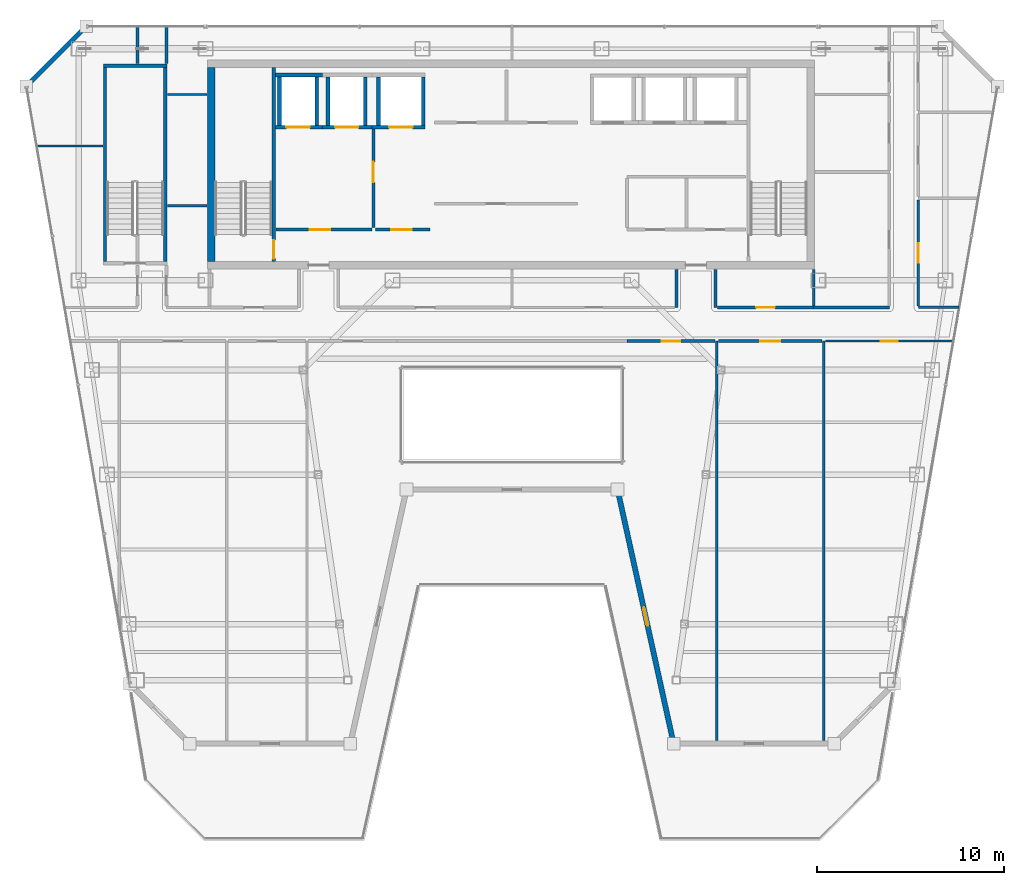
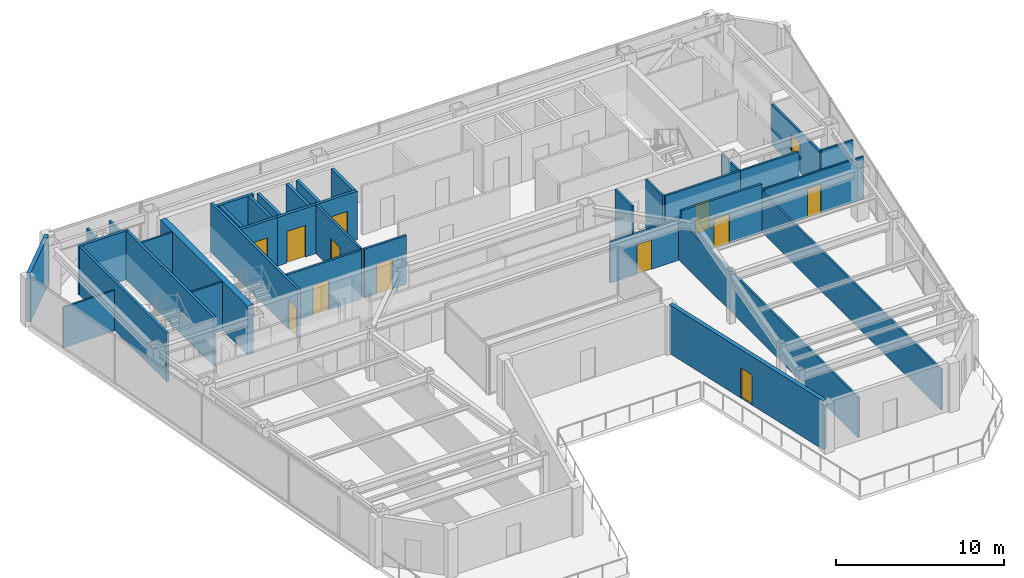
# One storey, part 25 of 31: 37 walls, 13 doors, 13 openings.
"""IFC4 building model written with IfcOpenShell, lengths in metres."""

import ifcopenshell
import ifcopenshell.guid

model = None  # the IFC model being written
_history = None  # IfcOwnerHistory: only IFC2X3 demands one
_inside = {}  # id of a spatial element -> (the spatial element, [elements in it])
_under = {}  # id of a project, library or spatial element -> (it, [spatial elements below it])
_declared = {}  # id of a project -> (the project, [libraries it declares])
_typed = {}  # id of a type object -> (the type object, [elements of that type])
_made_of = {}  # id of a material, layer set ... -> (it, [elements and type objects made of it])


def new_model(schema):
    """Start an empty IFC model of exactly this schema.

    Asked for "IFC4X3", IfcOpenShell would pick the latest addendum, in which some entities
    have other attributes; the version numbers below select the first issue.
    IFC2X3 requires an IfcOwnerHistory on every rooted entity: one is made here for all.
    """
    global model, _history
    if schema == "IFC4X3":
        model = ifcopenshell.file(schema_version=(4, 3, 0, 0))
    else:
        model = ifcopenshell.file(schema=schema)
    _inside.clear()
    _under.clear()
    _declared.clear()
    _typed.clear()
    _made_of.clear()
    _history = None
    if model.schema == "IFC2X3":
        org = make("IfcOrganization", Name="unknown")
        user = make(
            "IfcPersonAndOrganization",
            ThePerson=make("IfcPerson", FamilyName="unknown"),
            TheOrganization=org,
        )
        app = make(
            "IfcApplication",
            ApplicationDeveloper=org,
            Version="unknown",
            ApplicationFullName="unknown",
            ApplicationIdentifier="unknown",
        )
        _history = make(
            "IfcOwnerHistory",
            OwningUser=user,
            OwningApplication=app,
            ChangeAction="ADDED",
            CreationDate=0,
        )
    return model


def make(cls, **values):
    """One entity of the class cls with the attributes given. An attribute that is None is left unset."""
    return model.create_entity(
        cls, **{name: value for name, value in values.items() if value is not None}
    )


def rooted(cls, **values):
    """An entity with a GlobalId (a new one), such as an element, a storey or a relation."""
    return make(cls, GlobalId=ifcopenshell.guid.new(), OwnerHistory=_history, **values)


def si_unit(unit_type, name, prefix=None):
    """IfcSIUnit, for example si_unit("LENGTHUNIT", "METRE", prefix="MILLI")."""
    return make("IfcSIUnit", UnitType=unit_type, Prefix=prefix, Name=name)


def assignment(units):
    """IfcUnitAssignment: the units of a project."""
    return None if units is None else make("IfcUnitAssignment", Units=units)


def point(xyz):
    """IfcCartesianPoint."""
    return None if xyz is None else make("IfcCartesianPoint", Coordinates=xyz)


def direction(xyz):
    """IfcDirection."""
    return None if xyz is None else make("IfcDirection", DirectionRatios=xyz)


def frame(location, z_axis=None, x_axis=None):
    """IfcAxis2Placement3D, a coordinate frame: its origin and axes. An axis left out is left unset."""
    return make(
        "IfcAxis2Placement3D",
        Location=point(location),
        Axis=direction(z_axis),
        RefDirection=direction(x_axis),
    )


def frame_2d(location, x_axis=None):
    """IfcAxis2Placement2D, a coordinate frame in the plane: its origin and x axis."""
    return make(
        "IfcAxis2Placement2D", Location=point(location), RefDirection=direction(x_axis)
    )


def origin():
    """The frame at (0, 0, 0) with its axes left unset."""
    return frame((0.0, 0.0, 0.0))


def place(relative_to, where):
    """IfcLocalPlacement: puts the frame where relative to a parent placement (None: the world)."""
    return make(
        "IfcLocalPlacement", PlacementRelTo=relative_to, RelativePlacement=where
    )


def context(
    kind, dimensions, precision=None, world=None, true_north=None, identifier=None
):
    """IfcGeometricRepresentationContext, for example the 3D "Model" context."""
    return make(
        "IfcGeometricRepresentationContext",
        ContextIdentifier=identifier,
        ContextType=kind,
        CoordinateSpaceDimension=dimensions,
        Precision=precision,
        WorldCoordinateSystem=world,
        TrueNorth=true_north,
    )


def subcontext(parent, identifier, kind, view, scale=None):
    """IfcGeometricRepresentationSubContext, for example "Body" below "Model"."""
    return make(
        "IfcGeometricRepresentationSubContext",
        ContextIdentifier=identifier,
        ContextType=kind,
        ParentContext=parent,
        TargetScale=scale,
        TargetView=view,
    )


def project(units=None, contexts=None):
    """IfcProject with its units and contexts."""
    return rooted(
        "IfcProject",
        Name="project",
        RepresentationContexts=contexts,
        UnitsInContext=assignment(units),
    )


def spatial(cls, under=None, at=None, **own):
    """A site, building, storey or space (cls), placed at a placement, below another one or the project."""
    s = rooted(cls, ObjectPlacement=at, **own)
    if under is not None:
        _under.setdefault(under.id(), (under, []))[1].append(s)
    return s


def profile(cls, at=None, kind="AREA", **sizes):
    """A parametric profile (cls). Its sizes go by their IFC names, for example OverallWidth=200.0."""
    return make(cls, ProfileType=kind, Position=at, **sizes)


def rectangle(**sizes):
    """IfcRectangleProfileDef."""
    return profile("IfcRectangleProfileDef", **sizes)


def extrude(swept, where, along, depth):
    """IfcExtrudedAreaSolid: the profile swept, set in the frame where, extruded along a direction by depth."""
    return make(
        "IfcExtrudedAreaSolid",
        SweptArea=swept,
        Position=where,
        ExtrudedDirection=direction(along),
        Depth=depth,
    )


def shape(context_of_items, identifier, shape_type, items):
    """IfcShapeRepresentation: the items that make up one representation, for example the "Body"."""
    return make(
        "IfcShapeRepresentation",
        ContextOfItems=context_of_items,
        RepresentationIdentifier=identifier,
        RepresentationType=shape_type,
        Items=items,
    )


def material(Name=None, Category=None):
    """IfcMaterial."""
    return make("IfcMaterial", Name=Name, Category=Category)


def layer(
    of_material, thickness, ventilated=None, Name=None, Category=None, Priority=None
):
    """IfcMaterialLayer: one layer of a wall or slab, of a material (None: an air gap)."""
    return make(
        "IfcMaterialLayer",
        Material=of_material,
        LayerThickness=thickness,
        IsVentilated=ventilated,
        Name=Name,
        Category=Category,
        Priority=Priority,
    )


def layer_set(layers, Name=None):
    """IfcMaterialLayerSet."""
    return make("IfcMaterialLayerSet", MaterialLayers=layers, LayerSetName=Name)


def made_of(thing, what):
    """Note that an element or type object is made of a material, layer set ...; save() writes the relation."""
    if what is not None:
        _made_of.setdefault(what.id(), (what, []))[1].append(thing)
    return thing


def type_object(cls, material=None, **own):
    """A type object (cls), such as IfcWallType, which elements share."""
    return made_of(rooted(cls, **own), material)


def element(
    cls,
    number,
    at=None,
    inside=None,
    cuts=None,
    type_object=None,
    material=None,
    context=None,
    identifier="Body",
    shape_type=None,
    held_by="IfcProductDefinitionShape",
    body=None,
    shapes=None,
    **own,
):
    """One element of the class cls, such as IfcWall. Its Tag is "e" and its number.

    at: its placement. inside: the storey or other place that contains it. cuts: it is an
    opening in that element (IfcRelVoidsElement). A single representation is given by context,
    identifier, shape_type and body (its items); several are given by shapes. held_by: the class
    of the entity that holds the representations. save() writes the other relations.
    """
    e = rooted(cls, Tag="e%d" % number, ObjectPlacement=at, **own)
    if body is not None:
        shapes = [shape(context, identifier, shape_type, body)]
    if shapes is not None:
        e.Representation = make(held_by, Representations=shapes)
    if inside is not None:
        _inside.setdefault(inside.id(), (inside, []))[1].append(e)
    if cuts is not None:
        rooted(
            "IfcRelVoidsElement", RelatingBuildingElement=cuts, RelatedOpeningElement=e
        )
    if type_object is not None:
        _typed.setdefault(type_object.id(), (type_object, []))[1].append(e)
    return made_of(e, material)


def fill(opening, filler):
    """IfcRelFillsElement: the door or window that sits in an opening."""
    return rooted(
        "IfcRelFillsElement",
        RelatingOpeningElement=opening,
        RelatedBuildingElement=filler,
    )


def aggregate(whole, parts):
    """IfcRelAggregates: a whole, such as a stair, and the parts it consists of."""
    return rooted("IfcRelAggregates", RelatingObject=whole, RelatedObjects=parts)


def save(model, path):
    """Write the relations noted so far, then the file.

    IfcRelAggregates (storeys below a building ...), IfcRelContainedInSpatialStructure (elements
    in a storey), IfcRelDefinesByType, IfcRelAssociatesMaterial and IfcRelDeclares: one each for
    every whole, place, type object, material and project.
    """
    for whole, parts in _under.values():
        aggregate(whole, parts)
    for where, things in _inside.values():
        rooted(
            "IfcRelContainedInSpatialStructure",
            RelatedElements=things,
            RelatingStructure=where,
        )
    for kind, things in _typed.values():
        rooted("IfcRelDefinesByType", RelatedObjects=things, RelatingType=kind)
    for what, things in _made_of.values():
        rooted("IfcRelAssociatesMaterial", RelatedObjects=things, RelatingMaterial=what)
    for by, libraries in _declared.values():
        rooted("IfcRelDeclares", RelatingContext=by, RelatedDefinitions=libraries)
    model.write(path)


model = new_model("IFC4")

# Units and contexts
model_context = context("Model", 3, precision=1e-05, world=origin(), true_north=direction((0.0, 1.0)))
body_context = subcontext(model_context, "Body", "Model", "MODEL_VIEW")
ifc_project = project(units=[si_unit("LENGTHUNIT", "METRE"), si_unit("AREAUNIT", "SQUARE_METRE"), si_unit("VOLUMEUNIT", "CUBIC_METRE"), si_unit("PLANEANGLEUNIT", "RADIAN"), si_unit("MASSUNIT", "GRAM", prefix="KILO")], contexts=[model_context])

# Site, building, storey
site_placement = place(None, origin())
site = spatial("IfcSite", under=ifc_project, at=site_placement, CompositionType="ELEMENT")
building_placement = place(site_placement, origin())
building = spatial("IfcBuilding", under=site, at=building_placement, Name="Saevonmaru Cultural Tower", CompositionType="ELEMENT")
storey_placement = place(building_placement, frame((0.0, 0.0, 230.60009765625)))
storey = spatial("IfcBuildingStorey", under=building, at=storey_placement, Name="L53", CompositionType="ELEMENT", Elevation=230.60009765625)

# Wall
ifc_material_1 = material(Name="Concrete C50/60", Category="concrete")
ifc_layer_1 = layer(ifc_material_1, 0.39990234375, Name="Concrete C50/60")
ifc_layer_set_1 = layer_set([ifc_layer_1], Name="Concrete C50/60")
wall_type_1 = type_object("IfcWallType", Name="WL-CORE-400", PredefinedType="SHEAR", material=ifc_layer_set_1)
wall_1_placement = place(storey_placement, frame((13.89990234375, 43.39990234375, 0.0), z_axis=(0.0, 0.0, 1.0), x_axis=(0.0, 1.0, 0.0)))
element("IfcWall", 1, at=wall_1_placement, inside=storey, type_object=wall_type_1, Name="L53 Tower RC core shear wall W", PredefinedType="SHEAR", context=body_context, shape_type="SweptSolid", body=[
    extrude(rectangle(XDim=10.400146484375, YDim=0.39990234375, at=frame_2d((5.2001953125, 0.0))), origin(), (0.0, 0.0, 1.0), 3.5498046875),
])

# Wall, opening, door
ifc_material_2 = material(Name="Gypsum Fireboard Partition", Category="gypsum")
ifc_layer_2 = layer(ifc_material_2, 0.14990234375, Name="Gypsum Fireboard Partition")
ifc_layer_set_2 = layer_set([ifc_layer_2], Name="Gypsum Fireboard Partition")
wall_type_2 = type_object("IfcWallType", Name="WL-CORE-PART-150", PredefinedType="PARTITIONING", material=ifc_layer_set_2)
wall_2_placement = place(storey_placement, frame((17.360107421875, 45.1201171875, 0.0), z_axis=(0.0, 0.0, 1.0), x_axis=(1.0, 0.0, 0.0)))
wall_2 = element("IfcWall", 2, at=wall_2_placement, inside=storey, type_object=wall_type_2, Name="L53 Firefighting Lift Lobby South Wall", PredefinedType="PARTITIONING", context=body_context, shape_type="SweptSolid", body=[
    extrude(rectangle(XDim=5.139892578125, YDim=0.14990234375, at=frame_2d((2.56982421875, 0.0))), origin(), (0.0, 0.0, 1.0), 3.5498046875),
])
opening_1_placement = place(wall_2_placement, frame((1.800048828125, 0.0, 0.0)))
opening_1 = element("IfcOpeningElement", 3, at=opening_1_placement, cuts=wall_2, Name="Opening FD-2", PredefinedType="OPENING", context=body_context, shape_type="SweptSolid", body=[
    extrude(rectangle(XDim=1.10009765625, YDim=2.14990234375, at=frame_2d((0.550048828125, 1.074951171875))), frame((0.0, 0.0849609375, 0.0), z_axis=(0.0, -1.0, 0.0), x_axis=(1.0, 0.0, 0.0)), (0.0, 0.0, 1.0), 0.169921875),
])
ifc_material_3 = material(Name="Satin Bronze Anodised Aluminium", Category="aluminium")
door_type_1 = type_object("IfcDoorType", Name="DR-FD60-1100", OperationType="SINGLE_SWING_LEFT", PredefinedType="DOOR", material=ifc_material_3)
door_1_placement = place(opening_1_placement, origin())
door_1 = element("IfcDoor", 4, at=door_1_placement, inside=storey, type_object=door_type_1, Name="L53 Firefighting Lift Lobby South Door", OperationType="SINGLE_SWING_LEFT", OverallHeight=2.14990234375, OverallWidth=1.10009765625, PredefinedType="DOOR", context=body_context, shape_type="SweptSolid", body=[
    extrude(rectangle(XDim=1.10009765625, YDim=2.14990234375, at=frame_2d((0.550048828125, 1.074951171875))), frame((0.0, 0.02490234375, 0.0), z_axis=(0.0, -1.0, 0.0), x_axis=(1.0, 0.0, 0.0)), (0.0, 0.0, 1.0), 0.050048828125),
])
fill(opening_1, door_1)

wall_3_placement = place(storey_placement, frame((22.580078125, 50.550048828125, 0.0), z_axis=(0.0, 0.0, 1.0), x_axis=(0.0, -1.0, 0.0)))
wall_3 = element("IfcWall", 5, at=wall_3_placement, inside=storey, type_object=wall_type_2, Name="L53 Firefighting Lift Lobby East Wall", PredefinedType="PARTITIONING", context=body_context, shape_type="SweptSolid", body=[
    extrude(rectangle(XDim=5.330078125, YDim=0.14990234375, at=frame_2d((2.6650390625, 0.0))), origin(), (0.0, 0.0, 1.0), 3.5498046875),
])
opening_2_placement = place(wall_3_placement, frame((1.800048828125, 0.0, 0.0)))
opening_2 = element("IfcOpeningElement", 6, at=opening_2_placement, cuts=wall_3, Name="Opening FD-2", PredefinedType="OPENING", context=body_context, shape_type="SweptSolid", body=[
    extrude(rectangle(XDim=1.10009765625, YDim=2.14990234375, at=frame_2d((0.550048828125, 1.074951171875))), frame((0.0, 0.0849609375, 0.0), z_axis=(0.0, -1.0, 0.0), x_axis=(1.0, 0.0, 0.0)), (0.0, 0.0, 1.0), 0.169921875),
])
door_2_placement = place(opening_2_placement, origin())
door_2 = element("IfcDoor", 7, at=door_2_placement, inside=storey, type_object=door_type_1, Name="L53 Firefighting Lift Lobby East Door", OperationType="SINGLE_SWING_LEFT", OverallHeight=2.14990234375, OverallWidth=1.10009765625, PredefinedType="DOOR", context=body_context, shape_type="SweptSolid", body=[
    extrude(rectangle(XDim=1.10009765625, YDim=2.14990234375, at=frame_2d((0.550048828125, 1.074951171875))), frame((0.0, 0.02490234375, 0.0), z_axis=(0.0, -1.0, 0.0), x_axis=(1.0, 0.0, 0.0)), (0.0, 0.0, 1.0), 0.050048828125),
])
fill(opening_2, door_2)

wall_4_placement = place(storey_placement, frame((22.679931640625, 45.1201171875, 0.0), z_axis=(0.0, 0.0, 1.0), x_axis=(1.0, 0.0, 0.0)))
wall_4 = element("IfcWall", 8, at=wall_4_placement, inside=storey, type_object=wall_type_2, Name="L53 Service Lift Vestibule Wall", PredefinedType="PARTITIONING", context=body_context, shape_type="SweptSolid", body=[
    extrude(rectangle(XDim=2.920166015625, YDim=0.14990234375, at=frame_2d((1.4599609375, 0.0))), origin(), (0.0, 0.0, 1.0), 3.5498046875),
])
opening_3_placement = place(wall_4_placement, frame((0.85009765625, 0.0, 0.0)))
opening_3 = element("IfcOpeningElement", 9, at=opening_3_placement, cuts=wall_4, Name="Opening FD-2", PredefinedType="OPENING", context=body_context, shape_type="SweptSolid", body=[
    extrude(rectangle(XDim=1.10009765625, YDim=2.14990234375, at=frame_2d((0.550048828125, 1.074951171875))), frame((0.0, 0.0849609375, 0.0), z_axis=(0.0, -1.0, 0.0), x_axis=(1.0, 0.0, 0.0)), (0.0, 0.0, 1.0), 0.169921875),
])
door_3_placement = place(opening_3_placement, origin())
door_3 = element("IfcDoor", 10, at=door_3_placement, inside=storey, type_object=door_type_1, Name="L53 Service Lift Vestibule Door", OperationType="SINGLE_SWING_LEFT", OverallHeight=2.14990234375, OverallWidth=1.10009765625, PredefinedType="DOOR", context=body_context, shape_type="SweptSolid", body=[
    extrude(rectangle(XDim=1.10009765625, YDim=2.14990234375, at=frame_2d((0.550048828125, 1.074951171875))), frame((0.0, 0.02490234375, 0.0), z_axis=(0.0, -1.0, 0.0), x_axis=(1.0, 0.0, 0.0)), (0.0, 0.0, 1.0), 0.050048828125),
])
fill(opening_3, door_3)

# Wall
ifc_material_4 = material(Name="Granite-Clad Precast Concrete C40/50", Category="masonry")
ifc_layer_3 = layer(ifc_material_4, 0.260009765625, Name="Granite-Clad Precast Concrete C40/50")
ifc_layer_set_3 = layer_set([ifc_layer_3], Name="Granite-Clad Precast Concrete C40/50")
wall_type_3 = type_object("IfcWallType", Name="WL-EXT-SPANDREL-260", PredefinedType="STANDARD", material=ifc_layer_set_3)
wall_5_placement = place(storey_placement, frame((7.0869140625, 55.886962890625, 0.0), z_axis=(0.0, 0.0, 1.0), x_axis=(-0.707106781187, -0.707106781187, 0.0)))
element("IfcWall", 11, at=wall_5_placement, inside=storey, type_object=wall_type_3, Name="L53 Chamfer Corner Spandrel Wall E11", PredefinedType="STANDARD", context=body_context, shape_type="SweptSolid", body=[
    extrude(rectangle(XDim=4.205810546875, YDim=0.260009765625, at=frame_2d((2.10302734375, 0.0))), origin(), (0.0, 0.0, 1.0), 3.5498046875),
])

# Wall, opening, door
ifc_layer_4 = layer(ifc_material_4, 0.280029296875, Name="Granite-Clad Precast Concrete C40/50")
ifc_layer_set_4 = layer_set([ifc_layer_4], Name="Granite-Clad Precast Concrete C40/50")
wall_type_4 = type_object("IfcWallType", Name="WL-EXT-SPANDREL-280", PredefinedType="STANDARD", material=ifc_layer_set_4)
wall_6_placement = place(storey_placement, frame((35.687744140625, 31.043701171875, 0.0), z_axis=(0.0, 0.0, 1.0), x_axis=(0.215414184939, -0.976522774403, 0.0)))
wall_6 = element("IfcWall", 12, at=wall_6_placement, inside=storey, type_object=wall_type_4, Name="L53 Setback Terrace Portal Wall E5", PredefinedType="STANDARD", context=body_context, shape_type="SweptSolid", body=[
    extrude(rectangle(XDim=13.60693359375, YDim=0.280029296875, at=frame_2d((6.803466796875, 0.0))), origin(), (0.0, 0.0, 1.0), 3.5498046875),
])
opening_4_placement = place(wall_6_placement, frame((6.303955078125, 0.0, 0.0)))
opening_4 = element("IfcOpeningElement", 13, at=opening_4_placement, cuts=wall_6, Name="Opening TD-2", PredefinedType="OPENING", context=body_context, shape_type="SweptSolid", body=[
    extrude(rectangle(XDim=1.0, YDim=2.199951171875, at=frame_2d((0.5, 1.10009765625))), frame((0.0, 0.14990234375, 0.0), z_axis=(0.0, -1.0, 0.0), x_axis=(1.0, 0.0, 0.0)), (0.0, 0.0, 1.0), 0.300048828125),
])
door_type_2 = type_object("IfcDoorType", Name="DR-TERR-1000", OperationType="SINGLE_SWING_RIGHT", PredefinedType="DOOR", material=ifc_material_3)
door_4_placement = place(opening_4_placement, origin())
door_4 = element("IfcDoor", 14, at=door_4_placement, inside=storey, type_object=door_type_2, Name="L53 Sawtooth Roof Terrace Door E5", OperationType="SINGLE_SWING_RIGHT", OverallHeight=2.199951171875, OverallWidth=1.0, PredefinedType="DOOR", context=body_context, shape_type="SweptSolid", body=[
    extrude(rectangle(XDim=1.0, YDim=2.199951171875, at=frame_2d((0.5, 1.10009765625))), frame((0.0, 0.02490234375, 0.0), z_axis=(0.0, -1.0, 0.0), x_axis=(1.0, 0.0, 0.0)), (0.0, 0.0, 1.0), 0.050048828125),
])
fill(opening_4, door_4)

# Walls
ifc_layer_5 = layer(ifc_material_2, 0.14990234375, Name="Gypsum Fireboard Partition")
ifc_layer_set_5 = layer_set([ifc_layer_5], Name="Gypsum Fireboard Partition")
wall_type_5 = type_object("IfcWallType", Name="WL-PART-FIRE-150", PredefinedType="PARTITIONING", material=ifc_layer_set_5)
for number, where, z_axis, x_axis, name in (
    (15, (11.5, 54.0, 0.0), (0.0, 0.0, 1.0), (0.0, 1.0, 0.0), "L53 Sound Art Screening Auditorium Corridor Wall"),
    (16, (9.949951171875, 54.0, 0.0), (0.0, 0.0, 1.0), (0.0, 1.0, 0.0), "L53 Media Screening Auditorium Corridor Wall"),
):
    element("IfcWall", number, at=place(storey_placement, frame(where, z_axis=z_axis, x_axis=x_axis)), inside=storey, type_object=wall_type_5, Name=name, PredefinedType="PARTITIONING", context=body_context, shape_type="SweptSolid", body=[
        extrude(rectangle(XDim=1.9951171875, YDim=0.14990234375, at=frame_2d((0.99755859375, 0.0))), origin(), (0.0, 0.0, 1.0), 2.934814453125),
    ])

# Wall, opening, door
wall_7_placement = place(storey_placement, frame((51.75, 41.03759765625, 0.0), z_axis=(0.0, 0.0, 1.0), x_axis=(0.0, 1.0, 0.0)))
wall_7 = element("IfcWall", 17, at=wall_7_placement, inside=storey, type_object=wall_type_5, Name="L53 Visual Arts Critique Gallery Corridor Wall", PredefinedType="PARTITIONING", context=body_context, shape_type="SweptSolid", body=[
    extrude(rectangle(XDim=5.6748046875, YDim=0.14990234375, at=frame_2d((2.83740234375, 0.0))), origin(), (0.0, 0.0, 1.0), 2.947021484375),
])
opening_5_placement = place(wall_7_placement, frame((2.31201171875, 0.0, 0.0)))
opening_5 = element("IfcOpeningElement", 18, at=opening_5_placement, cuts=wall_7, Name="Opening ID-1", PredefinedType="OPENING", context=body_context, shape_type="SweptSolid", body=[
    extrude(rectangle(XDim=1.050048828125, YDim=2.14990234375, at=frame_2d((0.52490234375, 1.074951171875))), frame((0.0, 0.0849609375, 0.0), z_axis=(0.0, -1.0, 0.0), x_axis=(1.0, 0.0, 0.0)), (0.0, 0.0, 1.0), 0.169921875),
])
door_type_3 = type_object("IfcDoorType", Name="DR-INT-1050", OperationType="SINGLE_SWING_LEFT", PredefinedType="DOOR", material=ifc_material_3)
door_5_placement = place(opening_5_placement, origin())
door_5 = element("IfcDoor", 19, at=door_5_placement, inside=storey, type_object=door_type_3, Name="L53 Visual Arts Critique Gallery Door", OperationType="SINGLE_SWING_LEFT", OverallHeight=2.14990234375, OverallWidth=1.050048828125, PredefinedType="DOOR", context=body_context, shape_type="SweptSolid", body=[
    extrude(rectangle(XDim=1.050048828125, YDim=2.14990234375, at=frame_2d((0.52490234375, 1.074951171875))), frame((0.0, 0.02490234375, 0.0), z_axis=(0.0, -1.0, 0.0), x_axis=(1.0, 0.0, 0.0)), (0.0, 0.0, 1.0), 0.050048828125),
])
fill(opening_5, door_5)

# Walls
for number, where, z_axis, x_axis, name in (
    (20, (38.800048828125, 40.949951171875, 0.0), (0.0, 0.0, 1.0), (0.0, 1.0, 0.0), "L53 Core Portal Side Wall E1"),
    (21, (40.89990234375, 40.949951171875, 0.0), (0.0, 0.0, 1.0), (0.0, 1.0, 0.0), "L53 Core Portal Side Wall E2"),
):
    element("IfcWall", number, at=place(storey_placement, frame(where, z_axis=z_axis, x_axis=x_axis)), inside=storey, type_object=wall_type_5, Name=name, PredefinedType="PARTITIONING", context=body_context, shape_type="SweptSolid", body=[
        extrude(rectangle(XDim=2.030029296875, YDim=0.14990234375, at=frame_2d((1.01513671875, 0.0))), origin(), (0.0, 0.0, 1.0), 3.5498046875),
    ])

# Wall, opening, door
wall_8_placement = place(storey_placement, frame((40.9951171875, 40.949951171875, 0.0), z_axis=(0.0, 0.0, 1.0), x_axis=(1.0, 0.0, 0.0)))
wall_8 = element("IfcWall", 22, at=wall_8_placement, inside=storey, type_object=wall_type_5, Name="L53 Sound Art Screening Auditorium Corridor Wall", PredefinedType="PARTITIONING", context=body_context, shape_type="SweptSolid", body=[
    extrude(rectangle(XDim=5.15478515625, YDim=0.14990234375, at=frame_2d((2.577392578125, 0.0))), origin(), (0.0, 0.0, 1.0), 3.5498046875),
])
opening_6_placement = place(wall_8_placement, frame((2.077880859375, 0.0, 0.0)))
opening_6 = element("IfcOpeningElement", 23, at=opening_6_placement, cuts=wall_8, Name="Opening ID-1B", PredefinedType="OPENING", context=body_context, shape_type="SweptSolid", body=[
    extrude(rectangle(XDim=1.0, YDim=2.14990234375, at=frame_2d((0.5, 1.074951171875))), frame((0.0, 0.0849609375, 0.0), z_axis=(0.0, -1.0, 0.0), x_axis=(1.0, 0.0, 0.0)), (0.0, 0.0, 1.0), 0.169921875),
])
ifc_material_5 = material(Name="Acoustic Stained Oak Timber", Category="wood")
door_type_4 = type_object("IfcDoorType", Name="DR-INT-1000", OperationType="SINGLE_SWING_RIGHT", PredefinedType="DOOR", material=ifc_material_5)
door_6_placement = place(opening_6_placement, origin())
door_6 = element("IfcDoor", 24, at=door_6_placement, inside=storey, type_object=door_type_4, Name="L53 Sound Art Screening Auditorium Door", OperationType="SINGLE_SWING_LEFT", OverallHeight=2.14990234375, OverallWidth=1.0, PredefinedType="DOOR", context=body_context, shape_type="SweptSolid", body=[
    extrude(rectangle(XDim=1.0, YDim=2.14990234375, at=frame_2d((0.5, 1.074951171875))), frame((0.0, 0.02490234375, 0.0), z_axis=(0.0, -1.0, 0.0), x_axis=(1.0, 0.0, 0.0)), (0.0, 0.0, 1.0), 0.050048828125),
])
fill(opening_6, door_6)

wall_9_placement = place(storey_placement, frame((36.14990234375, 39.14990234375, 0.0), z_axis=(0.0, 0.0, 1.0), x_axis=(1.0, 0.0, 0.0)))
wall_9 = element("IfcWall", 25, at=wall_9_placement, inside=storey, type_object=wall_type_5, Name="L53 Sound Art Screening Auditorium Corridor Wall", PredefinedType="PARTITIONING", context=body_context, shape_type="SweptSolid", body=[
    extrude(rectangle(XDim=4.72265625, YDim=0.14990234375, at=frame_2d((2.361328125, 0.0))), origin(), (0.0, 0.0, 1.0), 2.947021484375),
])
opening_7_placement = place(wall_9_placement, frame((1.861083984375, 0.0, 0.0)))
opening_7 = element("IfcOpeningElement", 26, at=opening_7_placement, cuts=wall_9, Name="Opening ID-1B", PredefinedType="OPENING", context=body_context, shape_type="SweptSolid", body=[
    extrude(rectangle(XDim=1.0, YDim=2.14990234375, at=frame_2d((0.5, 1.074951171875))), frame((0.0, 0.0849609375, 0.0), z_axis=(0.0, -1.0, 0.0), x_axis=(1.0, 0.0, 0.0)), (0.0, 0.0, 1.0), 0.169921875),
])
door_7_placement = place(opening_7_placement, origin())
door_7 = element("IfcDoor", 27, at=door_7_placement, inside=storey, type_object=door_type_4, Name="L53 Sound Art Screening Auditorium Door", OperationType="SINGLE_SWING_LEFT", OverallHeight=2.14990234375, OverallWidth=1.0, PredefinedType="DOOR", context=body_context, shape_type="SweptSolid", body=[
    extrude(rectangle(XDim=1.0, YDim=2.14990234375, at=frame_2d((0.5, 1.074951171875))), frame((0.0, 0.02490234375, 0.0), z_axis=(0.0, -1.0, 0.0), x_axis=(1.0, 0.0, 0.0)), (0.0, 0.0, 1.0), 0.050048828125),
])
fill(opening_7, door_7)

wall_10_placement = place(storey_placement, frame((41.047607421875, 39.14990234375, 0.0), z_axis=(0.0, 0.0, 1.0), x_axis=(1.0, 0.0, 0.0)))
wall_10 = element("IfcWall", 28, at=wall_10_placement, inside=storey, type_object=wall_type_5, Name="L53 Visual Arts Critique Gallery Corridor Wall", PredefinedType="PARTITIONING", context=body_context, shape_type="SweptSolid", body=[
    extrude(rectangle(XDim=5.554931640625, YDim=0.14990234375, at=frame_2d((2.77734375, 0.0))), origin(), (0.0, 0.0, 1.0), 3.5498046875),
])
opening_8_placement = place(wall_10_placement, frame((2.251953125, 0.0, 0.0)))
opening_8 = element("IfcOpeningElement", 29, at=opening_8_placement, cuts=wall_10, Name="Opening ID-1", PredefinedType="OPENING", context=body_context, shape_type="SweptSolid", body=[
    extrude(rectangle(XDim=1.050048828125, YDim=2.14990234375, at=frame_2d((0.52490234375, 1.074951171875))), frame((0.0, 0.0849609375, 0.0), z_axis=(0.0, -1.0, 0.0), x_axis=(1.0, 0.0, 0.0)), (0.0, 0.0, 1.0), 0.169921875),
])
door_8_placement = place(opening_8_placement, origin())
door_8 = element("IfcDoor", 30, at=door_8_placement, inside=storey, type_object=door_type_3, Name="L53 Visual Arts Critique Gallery Door", OperationType="SINGLE_SWING_RIGHT", OverallHeight=2.14990234375, OverallWidth=1.050048828125, PredefinedType="DOOR", context=body_context, shape_type="SweptSolid", body=[
    extrude(rectangle(XDim=1.050048828125, YDim=2.14990234375, at=frame_2d((0.52490234375, 1.074951171875))), frame((0.0, 0.02490234375, 0.0), z_axis=(0.0, -1.0, 0.0), x_axis=(1.0, 0.0, 0.0)), (0.0, 0.0, 1.0), 0.050048828125),
])
fill(opening_8, door_8)

# Walls
ifc_layer_6 = layer(ifc_material_2, 0.1201171875, Name="Gypsum Fireboard Partition")
ifc_layer_set_6 = layer_set([ifc_layer_6], Name="Gypsum Fireboard Partition")
wall_type_6 = type_object("IfcWallType", Name="WL-PART-GYP-120", PredefinedType="PARTITIONING", material=ifc_layer_set_6)
wall_11_placement = place(storey_placement, frame((11.550048828125, 52.35009765625, 0.0), z_axis=(0.0, 0.0, 1.0), x_axis=(1.0, 0.0, 0.0)))
element("IfcWall", 31, at=wall_11_placement, inside=storey, type_object=wall_type_6, Name="L53 North-West Panorama South Wall", PredefinedType="PARTITIONING", context=body_context, shape_type="SweptSolid", body=[
    extrude(rectangle(XDim=2.1298828125, YDim=0.1201171875, at=frame_2d((1.06494140625, 0.0))), origin(), (0.0, 0.0, 1.0), 3.5498046875),
])
wall_12_placement = place(storey_placement, frame((4.559814453125, 49.60009765625, 0.0), z_axis=(0.0, 0.0, 1.0), x_axis=(1.0, 0.0, 0.0)))
element("IfcWall", 32, at=wall_12_placement, inside=storey, type_object=wall_type_6, Name="L53 NW Studio Divider 1", PredefinedType="PARTITIONING", context=body_context, shape_type="SweptSolid", body=[
    extrude(rectangle(XDim=3.540283203125, YDim=0.1201171875, at=frame_2d((1.77001953125, 0.0))), origin(), (0.0, 0.0, 1.0), 2.947021484375),
])
wall_13_placement = place(storey_placement, frame((11.550048828125, 46.39990234375, 0.0), z_axis=(0.0, 0.0, 1.0), x_axis=(1.0, 0.0, 0.0)))
element("IfcWall", 33, at=wall_13_placement, inside=storey, type_object=wall_type_6, Name="L53 NW Inner Divider", PredefinedType="PARTITIONING", context=body_context, shape_type="SweptSolid", body=[
    extrude(rectangle(XDim=2.1298828125, YDim=0.1201171875, at=frame_2d((1.06494140625, 0.0))), origin(), (0.0, 0.0, 1.0), 3.5498046875),
])

# Wall, opening, door
wall_14_placement = place(storey_placement, frame((46.777587890625, 39.14990234375, 0.0), z_axis=(0.0, 0.0, 1.0), x_axis=(1.0, 0.0, 0.0)))
wall_14 = element("IfcWall", 34, at=wall_14_placement, inside=storey, type_object=wall_type_6, Name="L53 Architecture Residency Office Corridor Wall", PredefinedType="PARTITIONING", context=body_context, shape_type="SweptSolid", body=[
    extrude(rectangle(XDim=6.851318359375, YDim=0.1201171875, at=frame_2d((3.42578125, 0.0))), origin(), (0.0, 0.0, 1.0), 3.0849609375),
])
opening_9_placement = place(wall_14_placement, frame((2.97607421875, 0.0, 0.0)))
opening_9 = element("IfcOpeningElement", 35, at=opening_9_placement, cuts=wall_14, Name="Opening ID-2", PredefinedType="OPENING", context=body_context, shape_type="SweptSolid", body=[
    extrude(rectangle(XDim=0.89990234375, YDim=2.10009765625, at=frame_2d((0.449951171875, 1.050048828125))), frame((0.0, 0.070068359375, 0.0), z_axis=(0.0, -1.0, 0.0), x_axis=(1.0, 0.0, 0.0)), (0.0, 0.0, 1.0), 0.14013671875),
])
door_type_5 = type_object("IfcDoorType", Name="DR-INT-900", OperationType="SINGLE_SWING_RIGHT", PredefinedType="DOOR", material=ifc_material_5)
door_9_placement = place(opening_9_placement, origin())
door_9 = element("IfcDoor", 36, at=door_9_placement, inside=storey, type_object=door_type_5, Name="L53 Architecture Residency Office Door", OperationType="SINGLE_SWING_LEFT", OverallHeight=2.10009765625, OverallWidth=0.89990234375, PredefinedType="DOOR", context=body_context, shape_type="SweptSolid", body=[
    extrude(rectangle(XDim=0.89990234375, YDim=2.10009765625, at=frame_2d((0.449951171875, 1.050048828125))), frame((0.0, 0.02490234375, 0.0), z_axis=(0.0, -1.0, 0.0), x_axis=(1.0, 0.0, 0.0)), (0.0, 0.0, 1.0), 0.050048828125),
])
fill(opening_9, door_9)

# Walls
ifc_layer_7 = layer(ifc_material_2, 0.135009765625, Name="Gypsum Fireboard Partition")
ifc_layer_set_7 = layer_set([ifc_layer_7], Name="Gypsum Fireboard Partition")
wall_type_7 = type_object("IfcWallType", Name="WL-PART-GYP-135", PredefinedType="PARTITIONING", material=ifc_layer_set_7)
wall_15_placement = place(storey_placement, frame((51.75, 40.949951171875, 0.0), z_axis=(0.0, 0.0, 1.0), x_axis=(1.0, 0.0, 0.0)))
element("IfcWall", 37, at=wall_15_placement, inside=storey, type_object=wall_type_7, Name="L53 NE Wing South Wall", PredefinedType="PARTITIONING", context=body_context, shape_type="SweptSolid", body=[
    extrude(rectangle(XDim=2.19091796875, YDim=0.135009765625, at=frame_2d((1.095458984375, 0.0))), origin(), (0.0, 0.0, 1.0), 3.0849609375),
])
for number, where, z_axis, x_axis, name in (
    (38, (40.9599609375, 17.760009765625, 0.0), (0.0, 0.0, 1.0), (0.0, 1.0, 0.0), "L53 East Bay Divider 1"),
    (39, (46.68994140625, 17.760009765625, 0.0), (0.0, 0.0, 1.0), (0.0, 1.0, 0.0), "L53 East Bay Divider 2"),
):
    element("IfcWall", number, at=place(storey_placement, frame(where, z_axis=z_axis, x_axis=x_axis)), inside=storey, type_object=wall_type_7, Name=name, PredefinedType="PARTITIONING", context=body_context, shape_type="SweptSolid", body=[
        extrude(rectangle(XDim=21.389892578125, YDim=0.135009765625, at=frame_2d((10.69482421875, 0.0))), origin(), (0.0, 0.0, 1.0), 2.947021484375),
    ])
ifc_layer_8 = layer(ifc_material_2, 0.139892578125, Name="Gypsum Fireboard Partition")
ifc_layer_set_8 = layer_set([ifc_layer_8], Name="Gypsum Fireboard Partition")
wall_type_8 = type_object("IfcWallType", Name="WL-PART-WET-140", PredefinedType="PARTITIONING", material=ifc_layer_set_8)
wall_16_placement = place(storey_placement, frame((46.14990234375, 40.949951171875, 0.0), z_axis=(0.0, 0.0, 1.0), x_axis=(1.0, 0.0, 0.0)))
element("IfcWall", 40, at=wall_16_placement, inside=storey, type_object=wall_type_8, Name="L53 Washroom South Wall", PredefinedType="PARTITIONING", context=body_context, shape_type="SweptSolid", body=[
    extrude(rectangle(XDim=4.050048828125, YDim=0.139892578125, at=frame_2d((2.02490234375, 0.0))), origin(), (0.0, 0.0, 1.0), 3.5498046875),
])
wall_17_placement = place(storey_placement, frame((46.14990234375, 41.0400390625, 0.0), z_axis=(0.0, 0.0, 1.0), x_axis=(0.0, 1.0, 0.0)))
element("IfcWall", 41, at=wall_17_placement, inside=storey, type_object=wall_type_8, Name="L53 Washroom South-West Return", PredefinedType="PARTITIONING", context=body_context, shape_type="SweptSolid", body=[
    extrude(rectangle(XDim=1.93994140625, YDim=0.139892578125, at=frame_2d((0.969970703125, 0.0))), origin(), (0.0, 0.0, 1.0), 3.5498046875),
])

# Wall, opening, door
ifc_material_6 = material(Name="Concrete C40/50", Category="concrete")
ifc_layer_9 = layer(ifc_material_6, 0.199951171875, Name="Concrete C40/50")
ifc_layer_set_9 = layer_set([ifc_layer_9], Name="Concrete C40/50")
wall_type_9 = type_object("IfcWallType", Name="WL-SHAFT-200", PredefinedType="SHEAR", material=ifc_layer_set_9)
wall_18_placement = place(storey_placement, frame((17.330078125, 50.60009765625, 0.0), z_axis=(0.0, 0.0, 1.0), x_axis=(1.0, 0.0, 0.0)))
wall_18 = element("IfcWall", 42, at=wall_18_placement, inside=storey, type_object=wall_type_9, Name="L53 Lift FFL-1 Hoistway Wall S", PredefinedType="SHEAR", context=body_context, shape_type="SweptSolid", body=[
    extrude(rectangle(XDim=2.52001953125, YDim=0.199951171875, at=frame_2d((1.260009765625, 0.0))), origin(), (0.0, 0.0, 1.0), 3.5498046875),
])
opening_10_placement = place(wall_18_placement, frame((0.594970703125, 0.0, 0.0)))
opening_10 = element("IfcOpeningElement", 43, at=opening_10_placement, cuts=wall_18, Name="Opening LD-2", PredefinedType="OPENING", context=body_context, shape_type="SweptSolid", body=[
    extrude(rectangle(XDim=1.25, YDim=2.300048828125, at=frame_2d((0.625, 1.14990234375))), frame((0.0, 0.10986328125, 0.0), z_axis=(0.0, -1.0, 0.0), x_axis=(1.0, 0.0, 0.0)), (0.0, 0.0, 1.0), 0.219970703125),
])
ifc_material_7 = material(Name="Stainless Steel 316", Category="steel")
door_type_6 = type_object("IfcDoorType", Name="DR-LIFT-1250", OperationType="SLIDING_TO_LEFT", PredefinedType="DOOR", material=ifc_material_7)
door_10_placement = place(opening_10_placement, origin())
door_10 = element("IfcDoor", 44, at=door_10_placement, inside=storey, type_object=door_type_6, Name="L53 Lift FFL-1 Sliding Landing Door", OperationType="SLIDING_TO_LEFT", OverallHeight=2.300048828125, OverallWidth=1.25, PredefinedType="DOOR", context=body_context, shape_type="SweptSolid", body=[
    extrude(rectangle(XDim=1.25, YDim=2.300048828125, at=frame_2d((0.625, 1.14990234375))), frame((0.0, 0.02490234375, 0.0), z_axis=(0.0, -1.0, 0.0), x_axis=(1.0, 0.0, 0.0)), (0.0, 0.0, 1.0), 0.050048828125),
])
fill(opening_10, door_10)

# Walls
wall_19_placement = place(storey_placement, frame((17.330078125, 53.39990234375, 0.0), z_axis=(0.0, 0.0, 1.0), x_axis=(1.0, 0.0, 0.0)))
element("IfcWall", 45, at=wall_19_placement, inside=storey, type_object=wall_type_9, Name="L53 Lift FFL-1 Hoistway Wall N", PredefinedType="SHEAR", context=body_context, shape_type="SweptSolid", body=[
    extrude(rectangle(XDim=2.52001953125, YDim=0.199951171875, at=frame_2d((1.260009765625, 0.0))), origin(), (0.0, 0.0, 1.0), 3.5498046875),
])
for number, where, z_axis, x_axis, name in (
    (46, (17.550048828125, 50.699951171875, 0.0), (0.0, 0.0, 1.0), (0.0, 1.0, 0.0), "L53 Lift FFL-1 Hoistway Wall W"),
    (47, (19.550048828125, 50.699951171875, 0.0), (0.0, 0.0, 1.0), (0.0, 1.0, 0.0), "L53 Lift FFL-1 Hoistway Wall E"),
):
    element("IfcWall", number, at=place(storey_placement, frame(where, z_axis=z_axis, x_axis=x_axis)), inside=storey, type_object=wall_type_9, Name=name, PredefinedType="SHEAR", context=body_context, shape_type="SweptSolid", body=[
        extrude(rectangle(XDim=2.60009765625, YDim=0.199951171875, at=frame_2d((1.300048828125, 0.0))), origin(), (0.0, 0.0, 1.0), 3.5498046875),
    ])

# Wall, opening, door
wall_20_placement = place(storey_placement, frame((19.85009765625, 50.60009765625, 0.0), z_axis=(0.0, 0.0, 1.0), x_axis=(1.0, 0.0, 0.0)))
wall_20 = element("IfcWall", 48, at=wall_20_placement, inside=storey, type_object=wall_type_9, Name="L53 Lift FFL-2 Hoistway Wall S", PredefinedType="SHEAR", context=body_context, shape_type="SweptSolid", body=[
    extrude(rectangle(XDim=2.64990234375, YDim=0.199951171875, at=frame_2d((1.324951171875, 0.0))), origin(), (0.0, 0.0, 1.0), 3.5498046875),
])
opening_11_placement = place(wall_20_placement, frame((0.675048828125, 0.0, 0.0)))
opening_11 = element("IfcOpeningElement", 49, at=opening_11_placement, cuts=wall_20, Name="Opening LD-2", PredefinedType="OPENING", context=body_context, shape_type="SweptSolid", body=[
    extrude(rectangle(XDim=1.25, YDim=2.300048828125, at=frame_2d((0.625, 1.14990234375))), frame((0.0, 0.10986328125, 0.0), z_axis=(0.0, -1.0, 0.0), x_axis=(1.0, 0.0, 0.0)), (0.0, 0.0, 1.0), 0.219970703125),
])
door_11_placement = place(opening_11_placement, origin())
door_11 = element("IfcDoor", 50, at=door_11_placement, inside=storey, type_object=door_type_6, Name="L53 Lift FFL-2 Sliding Landing Door", OperationType="SLIDING_TO_LEFT", OverallHeight=2.300048828125, OverallWidth=1.25, PredefinedType="DOOR", context=body_context, shape_type="SweptSolid", body=[
    extrude(rectangle(XDim=1.25, YDim=2.300048828125, at=frame_2d((0.625, 1.14990234375))), frame((0.0, 0.02490234375, 0.0), z_axis=(0.0, -1.0, 0.0), x_axis=(1.0, 0.0, 0.0)), (0.0, 0.0, 1.0), 0.050048828125),
])
fill(opening_11, door_11)

# Walls
for number, where, z_axis, x_axis, name in (
    (51, (20.14990234375, 50.699951171875, 0.0), (0.0, 0.0, 1.0), (0.0, 1.0, 0.0), "L53 Lift FFL-2 Hoistway Wall W"),
    (52, (22.14990234375, 50.699951171875, 0.0), (0.0, 0.0, 1.0), (0.0, 1.0, 0.0), "L53 Lift FFL-2 Hoistway Wall E"),
):
    element("IfcWall", number, at=place(storey_placement, frame(where, z_axis=z_axis, x_axis=x_axis)), inside=storey, type_object=wall_type_9, Name=name, PredefinedType="SHEAR", context=body_context, shape_type="SweptSolid", body=[
        extrude(rectangle(XDim=2.60009765625, YDim=0.199951171875, at=frame_2d((1.300048828125, 0.0))), origin(), (0.0, 0.0, 1.0), 3.5498046875),
    ])

# Wall, opening, door
wall_21_placement = place(storey_placement, frame((22.5, 50.60009765625, 0.0), z_axis=(0.0, 0.0, 1.0), x_axis=(1.0, 0.0, 0.0)))
wall_21 = element("IfcWall", 53, at=wall_21_placement, inside=storey, type_object=wall_type_9, Name="L53 Lift GL-1 Hoistway Wall S", PredefinedType="SHEAR", context=body_context, shape_type="SweptSolid", body=[
    extrude(rectangle(XDim=2.85009765625, YDim=0.199951171875, at=frame_2d((1.425048828125, 0.0))), origin(), (0.0, 0.0, 1.0), 3.5498046875),
])
opening_12_placement = place(wall_21_placement, frame((0.925048828125, 0.0, 0.0)))
opening_12 = element("IfcOpeningElement", 54, at=opening_12_placement, cuts=wall_21, Name="Opening LD-2", PredefinedType="OPENING", context=body_context, shape_type="SweptSolid", body=[
    extrude(rectangle(XDim=1.25, YDim=2.300048828125, at=frame_2d((0.625, 1.14990234375))), frame((0.0, 0.10986328125, 0.0), z_axis=(0.0, -1.0, 0.0), x_axis=(1.0, 0.0, 0.0)), (0.0, 0.0, 1.0), 0.219970703125),
])
door_12_placement = place(opening_12_placement, origin())
door_12 = element("IfcDoor", 55, at=door_12_placement, inside=storey, type_object=door_type_6, Name="L53 Lift GL-1 Sliding Landing Door", OperationType="SLIDING_TO_LEFT", OverallHeight=2.300048828125, OverallWidth=1.25, PredefinedType="DOOR", context=body_context, shape_type="SweptSolid", body=[
    extrude(rectangle(XDim=1.25, YDim=2.300048828125, at=frame_2d((0.625, 1.14990234375))), frame((0.0, 0.02490234375, 0.0), z_axis=(0.0, -1.0, 0.0), x_axis=(1.0, 0.0, 0.0)), (0.0, 0.0, 1.0), 0.050048828125),
])
fill(opening_12, door_12)

# Walls
for number, where, z_axis, x_axis, name in (
    (56, (22.85009765625, 50.699951171875, 0.0), (0.0, 0.0, 1.0), (0.0, 1.0, 0.0), "L53 Lift GL-1 Hoistway Wall W"),
    (57, (25.25, 50.699951171875, 0.0), (0.0, 0.0, 1.0), (0.0, 1.0, 0.0), "L53 Lift GL-1 Hoistway Wall E"),
):
    element("IfcWall", number, at=place(storey_placement, frame(where, z_axis=z_axis, x_axis=x_axis)), inside=storey, type_object=wall_type_9, Name=name, PredefinedType="SHEAR", context=body_context, shape_type="SweptSolid", body=[
        extrude(rectangle(XDim=2.60009765625, YDim=0.199951171875, at=frame_2d((1.300048828125, 0.0))), origin(), (0.0, 0.0, 1.0), 3.5498046875),
    ])

# Wall, opening, door
ifc_layer_10 = layer(ifc_material_6, 0.179931640625, Name="Concrete C40/50")
ifc_layer_set_10 = layer_set([ifc_layer_10], Name="Concrete C40/50")
wall_type_10 = type_object("IfcWallType", Name="WL-STSHAFT-180", PredefinedType="SHEAR", material=ifc_layer_set_10)
wall_22_placement = place(storey_placement, frame((17.239990234375, 43.39990234375, 0.0), z_axis=(0.0, 0.0, 1.0), x_axis=(0.0, 1.0, 0.0)))
wall_22 = element("IfcWall", 58, at=wall_22_placement, inside=storey, type_object=wall_type_10, Name="L53 Stair ST-1 Structural Shaft Wall 1", PredefinedType="SHEAR", context=body_context, shape_type="SweptSolid", body=[
    extrude(rectangle(XDim=10.400146484375, YDim=0.179931640625, at=frame_2d((5.2001953125, 0.0))), origin(), (0.0, 0.0, 1.0), 3.5498046875),
])
opening_13_placement = place(wall_22_placement, frame((0.159912109375, 0.0, 0.0)))
opening_13 = element("IfcOpeningElement", 59, at=opening_13_placement, cuts=wall_22, Name="Opening FD-3", PredefinedType="OPENING", context=body_context, shape_type="SweptSolid", body=[
    extrude(rectangle(XDim=1.0, YDim=2.14990234375, at=frame_2d((0.5, 1.074951171875))), frame((0.0, 0.10009765625, 0.0), z_axis=(0.0, -1.0, 0.0), x_axis=(1.0, 0.0, 0.0)), (0.0, 0.0, 1.0), 0.199951171875),
])
door_type_7 = type_object("IfcDoorType", Name="DR-FD60-1000", OperationType="SINGLE_SWING_RIGHT", PredefinedType="DOOR", material=ifc_material_3)
door_13_placement = place(opening_13_placement, origin())
door_13 = element("IfcDoor", 60, at=door_13_placement, inside=storey, type_object=door_type_7, Name="L53 Protected Stair ST-1 Fire Door", OperationType="SINGLE_SWING_RIGHT", OverallHeight=2.14990234375, OverallWidth=1.0, PredefinedType="DOOR", context=body_context, shape_type="SweptSolid", body=[
    extrude(rectangle(XDim=1.0, YDim=2.14990234375, at=frame_2d((0.5, 1.074951171875))), frame((0.0, 0.02490234375, 0.0), z_axis=(0.0, -1.0, 0.0), x_axis=(1.0, 0.0, 0.0)), (0.0, 0.0, 1.0), 0.050048828125),
])
fill(opening_13, door_13)

# Walls
wall_23_placement = place(storey_placement, frame((11.43994140625, 43.39990234375, 0.0), z_axis=(0.0, 0.0, 1.0), x_axis=(0.0, 1.0, 0.0)))
element("IfcWall", 61, at=wall_23_placement, inside=storey, type_object=wall_type_10, Name="L53 Stair ST-3 Structural Shaft Wall 2", PredefinedType="SHEAR", context=body_context, shape_type="SweptSolid", body=[
    extrude(rectangle(XDim=10.400146484375, YDim=0.179931640625, at=frame_2d((5.2001953125, 0.0))), origin(), (0.0, 0.0, 1.0), 3.5498046875),
])
wall_24_placement = place(storey_placement, frame((11.530029296875, 53.889892578125, 0.0), z_axis=(0.0, 0.0, 1.0), x_axis=(-1.0, 0.0, 0.0)))
element("IfcWall", 62, at=wall_24_placement, inside=storey, type_object=wall_type_10, Name="L53 Stair ST-3 Structural Shaft Wall 3", PredefinedType="SHEAR", context=body_context, shape_type="SweptSolid", body=[
    extrude(rectangle(XDim=3.409912109375, YDim=0.179931640625, at=frame_2d((1.705078125, 0.0))), origin(), (0.0, 0.0, 1.0), 3.5498046875),
])
wall_25_placement = place(storey_placement, frame((8.2099609375, 53.800048828125, 0.0), z_axis=(0.0, 0.0, 1.0), x_axis=(0.0, -1.0, 0.0)))
element("IfcWall", 63, at=wall_25_placement, inside=storey, type_object=wall_type_10, Name="L53 Stair ST-3 Structural Shaft Wall 4", PredefinedType="SHEAR", context=body_context, shape_type="SweptSolid", body=[
    extrude(rectangle(XDim=10.400146484375, YDim=0.179931640625, at=frame_2d((5.2001953125, 0.0))), origin(), (0.0, 0.0, 1.0), 3.5498046875),
])

save(model, "model.ifc")
